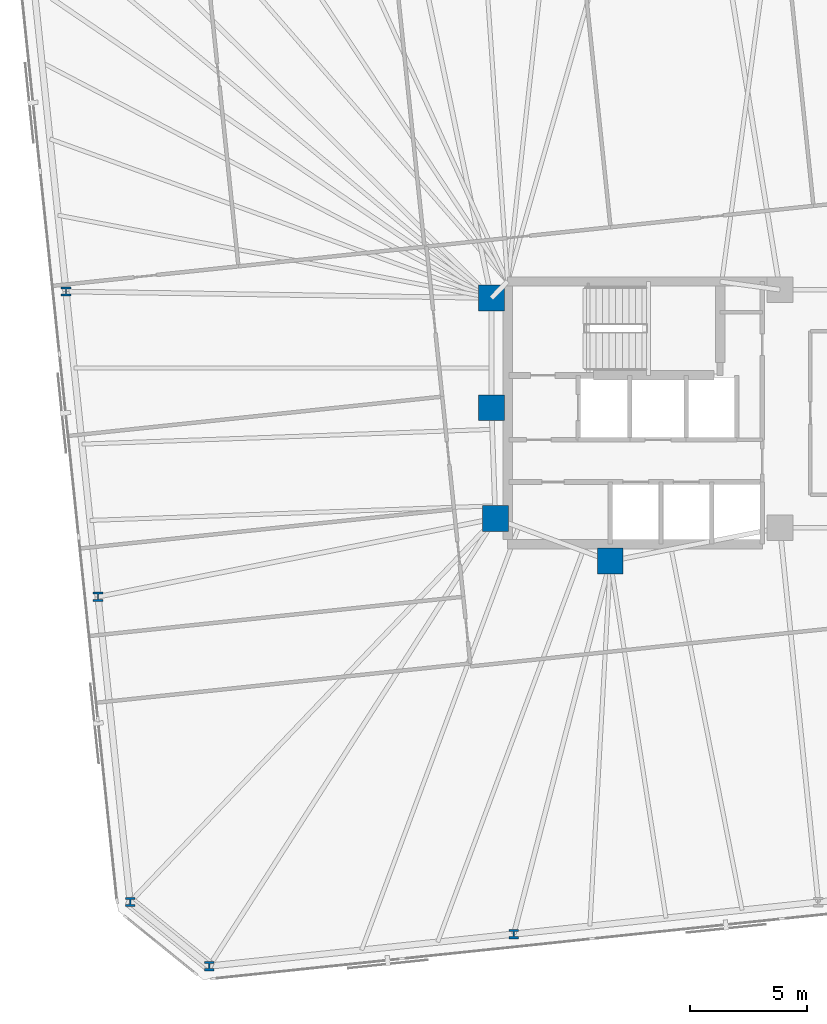
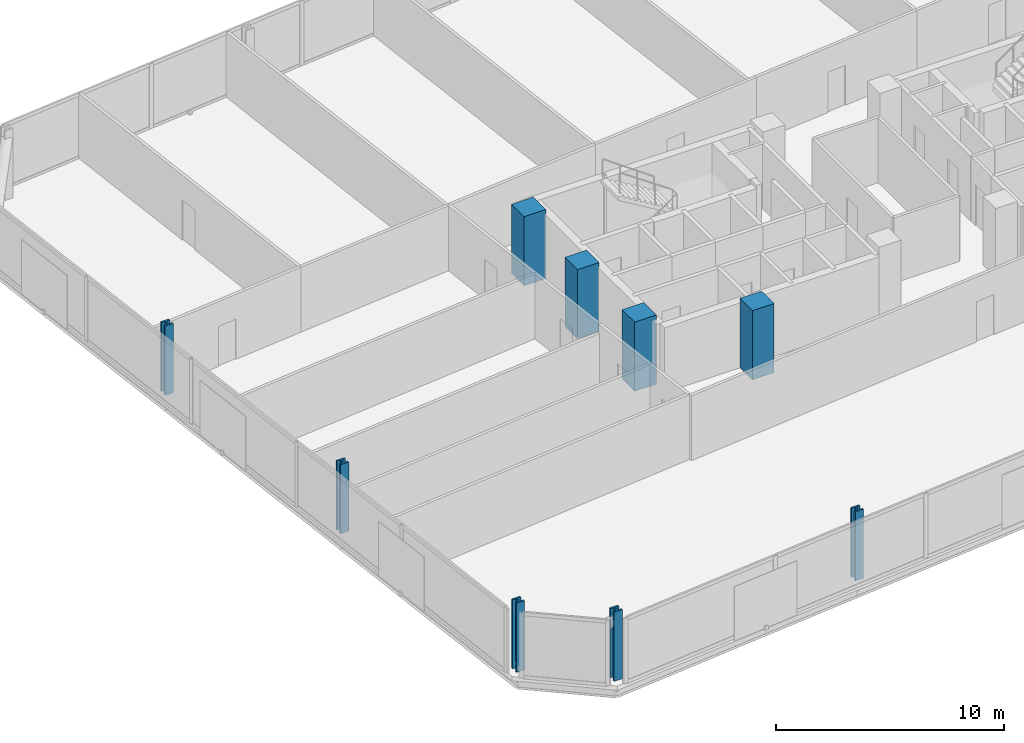
# One storey, part 1 of 18: 9 columns.
"""IFC4 building model written with IfcOpenShell, lengths in metres."""

from ifc_helpers import new_model, si_unit, direction, frame, origin, origin_2d, place, context, subcontext, project, spatial, rectangle, i_section, extrude, material, material_profile, profile_set, type_object, element, save


model = new_model("IFC4")

# Units and contexts
model_context = context("Model", 3, precision=1e-05, world=origin(), true_north=direction((0.0, 1.0)))
body_context = subcontext(model_context, "Body", "Model", "MODEL_VIEW")
ifc_project = project(units=[si_unit("LENGTHUNIT", "METRE"), si_unit("AREAUNIT", "SQUARE_METRE"), si_unit("VOLUMEUNIT", "CUBIC_METRE"), si_unit("PLANEANGLEUNIT", "RADIAN"), si_unit("MASSUNIT", "GRAM", prefix="KILO")], contexts=[model_context])

# Site, building, storey
site_placement = place(None, origin())
site = spatial("IfcSite", under=ifc_project, at=site_placement, CompositionType="ELEMENT")
building_placement = place(site_placement, origin())
building = spatial("IfcBuilding", under=site, at=building_placement, Name="Menara Jurai Vektor", CompositionType="ELEMENT")
storey_placement = place(building_placement, frame((0.0, 0.0, 105.89990234375)))
storey = spatial("IfcBuildingStorey", under=building, at=storey_placement, Name="L26", CompositionType="ELEMENT", Elevation=105.89990234375)

# Columns
ifc_material_1 = material(Name="Concrete C50/60", Category="concrete")
ifc_material_profile_1 = material_profile(ifc_material_1, rectangle(XDim=1.10009765625, YDim=1.10009765625, at=origin_2d()), Name="RC 1100x1100")
ifc_profile_set_1 = profile_set([ifc_material_profile_1], Name="Concrete C50/60")
column_type_1 = type_object("IfcColumnType", Name="STR-COL-RC1100", PredefinedType="COLUMN", material=ifc_profile_set_1)
for number, where, z_axis, x_axis, name in (
    (1, (-15.25, 4.89990234375, 0.0), (0.0, 0.0, 1.0), (1.0, 0.0, 0.0), "Core Spine Column CW-NW L26"),
    (2, (-15.25, 0.219970703125, 0.0), (0.0, 0.0, 1.0), (1.0, 0.0, 0.0), "Core Spine Column CW-WM L26"),
    (3, (-15.080078125, -4.5, 0.0), (0.0, 0.0, 1.0), (1.0, 0.0, 0.0), "Core Spine Column CW-SW L26"),
    (4, (-10.179931640625, -6.320068359375, 0.0), (0.0, 0.0, 1.0), (1.0, 0.0, 0.0), "Core Spine Column CW-SM L26"),
):
    element("IfcColumn", number, at=place(storey_placement, frame(where, z_axis=z_axis, x_axis=x_axis)), inside=storey, type_object=column_type_1, Name=name, PredefinedType="COLUMN", context=body_context, shape_type="SweptSolid", body=[
        extrude(rectangle(XDim=1.10009765625, YDim=1.10009765625, at=origin_2d()), origin(), (0.0, 0.0, 1.0), 3.7001953125),
    ])
ifc_material_2 = material(Name="Steel S460", Category="steel")
ifc_material_profile_2 = material_profile(ifc_material_2, i_section(OverallWidth=0.4130859375, OverallDepth=0.39794921875, WebThickness=0.055908203125, FlangeThickness=0.089111328125, FilletRadius=0.014892578125, at=origin_2d()), Name="HD 400x744")
ifc_profile_set_2 = profile_set([ifc_material_profile_2], Name="Steel S460")
column_type_2 = type_object("IfcColumnType", Name="STR-EXO-BLK2", PredefinedType="COLUMN", material=ifc_profile_set_2)
for number, where, z_axis, x_axis, name in (
    (5, (-27.2763671875, -23.586181640625, 0.0), (0.0, 0.0, 1.0), (1.0, 0.0, 0.0), "Exoskeleton Column BLK2-S1 L26"),
    (6, (-14.296630859375, -22.221923828125, 0.0), (0.0, 0.0, 1.0), (1.0, 0.0, 0.0), "Exoskeleton Column BLK2-S2 L26"),
    (7, (-33.388427734375, 5.175048828125, 0.0), (0.0, 0.0, 1.0), (1.0, 0.0, 0.0), "Exoskeleton Column BLK2-W2 L26"),
    (8, (-32.0205078125, -7.83837890625, 0.0), (0.0, 0.0, 1.0), (1.0, 0.0, 0.0), "Exoskeleton Column BLK2-W3 L26"),
    (9, (-30.65283203125, -20.85205078125, 0.0), (0.0, 0.0, 1.0), (1.0, 0.0, 0.0), "Exoskeleton Column BLK2-W4 L26"),
):
    element("IfcColumn", number, at=place(storey_placement, frame(where, z_axis=z_axis, x_axis=x_axis)), inside=storey, type_object=column_type_2, Name=name, PredefinedType="COLUMN", context=body_context, shape_type="SweptSolid", body=[
        extrude(i_section(OverallWidth=0.4130859375, OverallDepth=0.39794921875, WebThickness=0.055908203125, FlangeThickness=0.089111328125, FilletRadius=0.014892578125, at=origin_2d()), origin(), (0.0, 0.0, 1.0), 3.7001953125),
    ])

save(model, "model.ifc")
